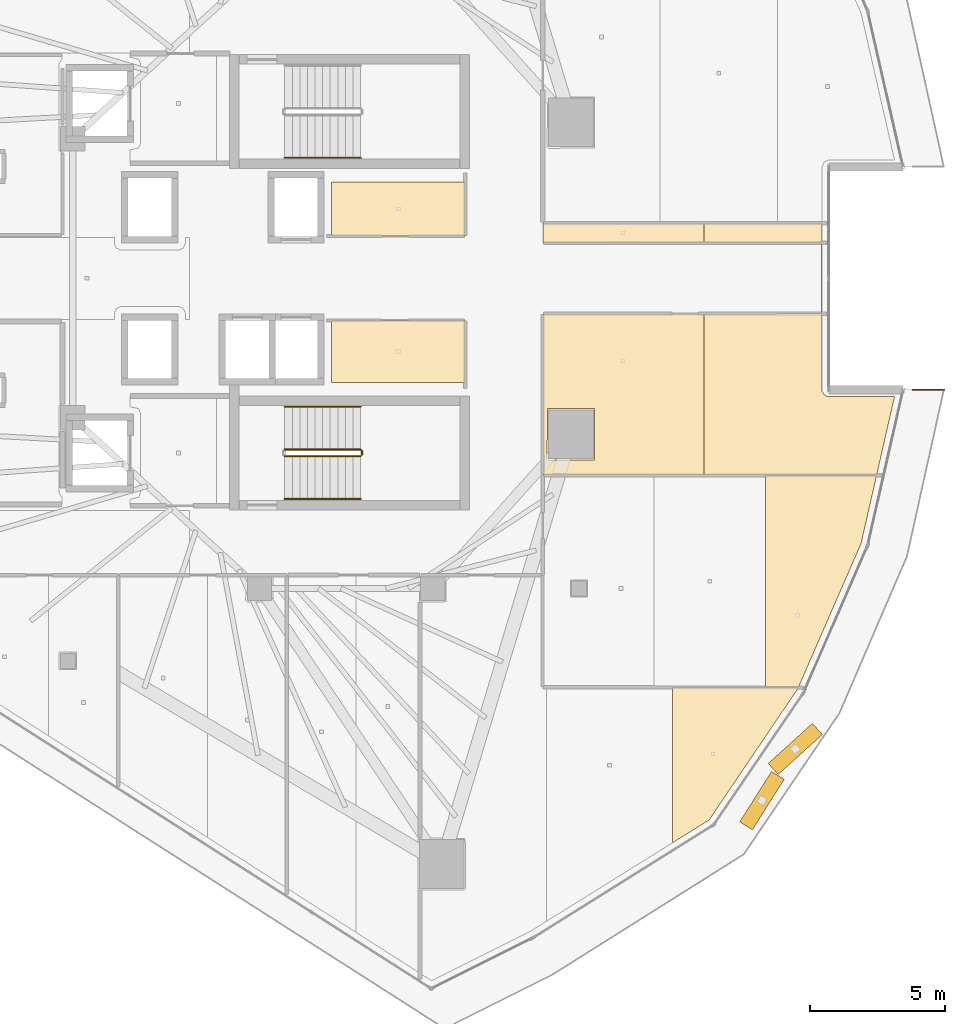
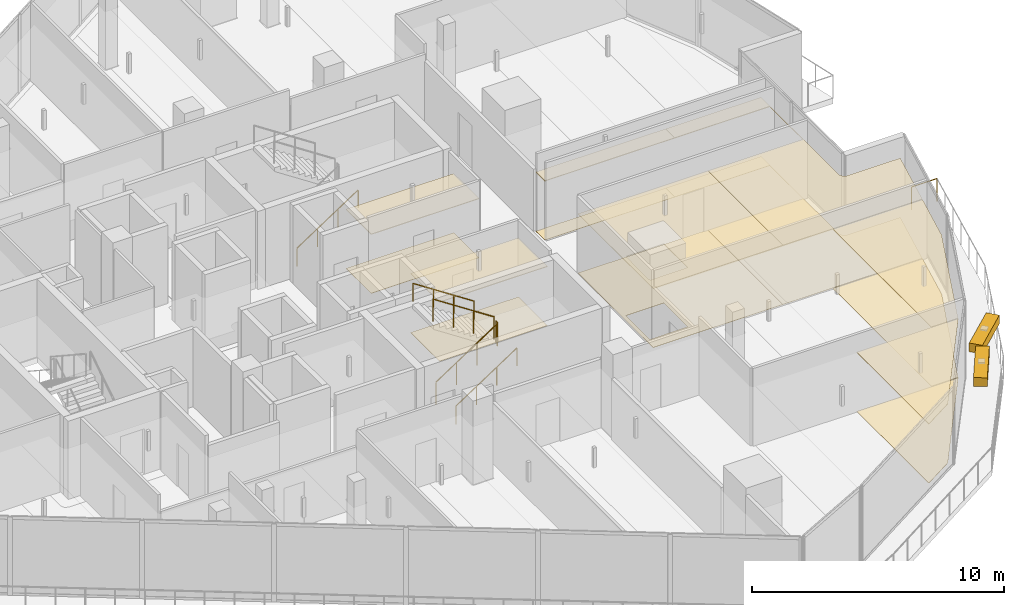
# One storey, part 30 of 32: 14 coverings, 7 railings, 2 shading devices.
"""IFC4 building model written with IfcOpenShell, lengths in metres."""

import ifcopenshell
import ifcopenshell.guid

model = None  # the IFC model being written
_history = None  # IfcOwnerHistory: only IFC2X3 demands one
_inside = {}  # id of a spatial element -> (the spatial element, [elements in it])
_under = {}  # id of a project, library or spatial element -> (it, [spatial elements below it])
_declared = {}  # id of a project -> (the project, [libraries it declares])
_typed = {}  # id of a type object -> (the type object, [elements of that type])
_made_of = {}  # id of a material, layer set ... -> (it, [elements and type objects made of it])


def new_model(schema):
    """Start an empty IFC model of exactly this schema.

    Asked for "IFC4X3", IfcOpenShell would pick the latest addendum, in which some entities
    have other attributes; the version numbers below select the first issue.
    IFC2X3 requires an IfcOwnerHistory on every rooted entity: one is made here for all.
    """
    global model, _history
    if schema == "IFC4X3":
        model = ifcopenshell.file(schema_version=(4, 3, 0, 0))
    else:
        model = ifcopenshell.file(schema=schema)
    _inside.clear()
    _under.clear()
    _declared.clear()
    _typed.clear()
    _made_of.clear()
    _history = None
    if model.schema == "IFC2X3":
        org = make("IfcOrganization", Name="unknown")
        user = make(
            "IfcPersonAndOrganization",
            ThePerson=make("IfcPerson", FamilyName="unknown"),
            TheOrganization=org,
        )
        app = make(
            "IfcApplication",
            ApplicationDeveloper=org,
            Version="unknown",
            ApplicationFullName="unknown",
            ApplicationIdentifier="unknown",
        )
        _history = make(
            "IfcOwnerHistory",
            OwningUser=user,
            OwningApplication=app,
            ChangeAction="ADDED",
            CreationDate=0,
        )
    return model


def make(cls, **values):
    """One entity of the class cls with the attributes given. An attribute that is None is left unset."""
    return model.create_entity(
        cls, **{name: value for name, value in values.items() if value is not None}
    )


def rooted(cls, **values):
    """An entity with a GlobalId (a new one), such as an element, a storey or a relation."""
    return make(cls, GlobalId=ifcopenshell.guid.new(), OwnerHistory=_history, **values)


def si_unit(unit_type, name, prefix=None):
    """IfcSIUnit, for example si_unit("LENGTHUNIT", "METRE", prefix="MILLI")."""
    return make("IfcSIUnit", UnitType=unit_type, Prefix=prefix, Name=name)


def assignment(units):
    """IfcUnitAssignment: the units of a project."""
    return None if units is None else make("IfcUnitAssignment", Units=units)


def point(xyz):
    """IfcCartesianPoint."""
    return None if xyz is None else make("IfcCartesianPoint", Coordinates=xyz)


def direction(xyz):
    """IfcDirection."""
    return None if xyz is None else make("IfcDirection", DirectionRatios=xyz)


def frame(location, z_axis=None, x_axis=None):
    """IfcAxis2Placement3D, a coordinate frame: its origin and axes. An axis left out is left unset."""
    return make(
        "IfcAxis2Placement3D",
        Location=point(location),
        Axis=direction(z_axis),
        RefDirection=direction(x_axis),
    )


def frame_2d(location, x_axis=None):
    """IfcAxis2Placement2D, a coordinate frame in the plane: its origin and x axis."""
    return make(
        "IfcAxis2Placement2D", Location=point(location), RefDirection=direction(x_axis)
    )


def origin():
    """The frame at (0, 0, 0) with its axes left unset."""
    return frame((0.0, 0.0, 0.0))


def origin_2d():
    """The frame at (0, 0) in the plane with its x axis left unset."""
    return frame_2d((0.0, 0.0))


def place(relative_to, where):
    """IfcLocalPlacement: puts the frame where relative to a parent placement (None: the world)."""
    return make(
        "IfcLocalPlacement", PlacementRelTo=relative_to, RelativePlacement=where
    )


def context(
    kind, dimensions, precision=None, world=None, true_north=None, identifier=None
):
    """IfcGeometricRepresentationContext, for example the 3D "Model" context."""
    return make(
        "IfcGeometricRepresentationContext",
        ContextIdentifier=identifier,
        ContextType=kind,
        CoordinateSpaceDimension=dimensions,
        Precision=precision,
        WorldCoordinateSystem=world,
        TrueNorth=true_north,
    )


def subcontext(parent, identifier, kind, view, scale=None):
    """IfcGeometricRepresentationSubContext, for example "Body" below "Model"."""
    return make(
        "IfcGeometricRepresentationSubContext",
        ContextIdentifier=identifier,
        ContextType=kind,
        ParentContext=parent,
        TargetScale=scale,
        TargetView=view,
    )


def project(units=None, contexts=None):
    """IfcProject with its units and contexts."""
    return rooted(
        "IfcProject",
        Name="project",
        RepresentationContexts=contexts,
        UnitsInContext=assignment(units),
    )


def spatial(cls, under=None, at=None, **own):
    """A site, building, storey or space (cls), placed at a placement, below another one or the project."""
    s = rooted(cls, ObjectPlacement=at, **own)
    if under is not None:
        _under.setdefault(under.id(), (under, []))[1].append(s)
    return s


def polyline(points):
    """IfcPolyline through the points."""
    return make("IfcPolyline", Points=[point(p) for p in points])


def profile(cls, at=None, kind="AREA", **sizes):
    """A parametric profile (cls). Its sizes go by their IFC names, for example OverallWidth=200.0."""
    return make(cls, ProfileType=kind, Position=at, **sizes)


def rectangle(**sizes):
    """IfcRectangleProfileDef."""
    return profile("IfcRectangleProfileDef", **sizes)


def circle(**sizes):
    """IfcCircleProfileDef."""
    return profile("IfcCircleProfileDef", **sizes)


def outline(outer, holes=None, kind="AREA"):
    """IfcArbitraryClosedProfileDef: a profile drawn as a closed curve; with holes, ...WithVoids."""
    if holes is None:
        return make("IfcArbitraryClosedProfileDef", ProfileType=kind, OuterCurve=outer)
    return make(
        "IfcArbitraryProfileDefWithVoids",
        ProfileType=kind,
        OuterCurve=outer,
        InnerCurves=holes,
    )


def extrude(swept, where, along, depth):
    """IfcExtrudedAreaSolid: the profile swept, set in the frame where, extruded along a direction by depth."""
    return make(
        "IfcExtrudedAreaSolid",
        SweptArea=swept,
        Position=where,
        ExtrudedDirection=direction(along),
        Depth=depth,
    )


def shape(context_of_items, identifier, shape_type, items):
    """IfcShapeRepresentation: the items that make up one representation, for example the "Body"."""
    return make(
        "IfcShapeRepresentation",
        ContextOfItems=context_of_items,
        RepresentationIdentifier=identifier,
        RepresentationType=shape_type,
        Items=items,
    )


def material(Name=None, Category=None):
    """IfcMaterial."""
    return make("IfcMaterial", Name=Name, Category=Category)


def layer(
    of_material, thickness, ventilated=None, Name=None, Category=None, Priority=None
):
    """IfcMaterialLayer: one layer of a wall or slab, of a material (None: an air gap)."""
    return make(
        "IfcMaterialLayer",
        Material=of_material,
        LayerThickness=thickness,
        IsVentilated=ventilated,
        Name=Name,
        Category=Category,
        Priority=Priority,
    )


def layer_set(layers, Name=None):
    """IfcMaterialLayerSet."""
    return make("IfcMaterialLayerSet", MaterialLayers=layers, LayerSetName=Name)


def made_of(thing, what):
    """Note that an element or type object is made of a material, layer set ...; save() writes the relation."""
    if what is not None:
        _made_of.setdefault(what.id(), (what, []))[1].append(thing)
    return thing


def type_object(cls, material=None, **own):
    """A type object (cls), such as IfcWallType, which elements share."""
    return made_of(rooted(cls, **own), material)


def element(
    cls,
    number,
    at=None,
    inside=None,
    cuts=None,
    type_object=None,
    material=None,
    context=None,
    identifier="Body",
    shape_type=None,
    held_by="IfcProductDefinitionShape",
    body=None,
    shapes=None,
    **own,
):
    """One element of the class cls, such as IfcWall. Its Tag is "e" and its number.

    at: its placement. inside: the storey or other place that contains it. cuts: it is an
    opening in that element (IfcRelVoidsElement). A single representation is given by context,
    identifier, shape_type and body (its items); several are given by shapes. held_by: the class
    of the entity that holds the representations. save() writes the other relations.
    """
    e = rooted(cls, Tag="e%d" % number, ObjectPlacement=at, **own)
    if body is not None:
        shapes = [shape(context, identifier, shape_type, body)]
    if shapes is not None:
        e.Representation = make(held_by, Representations=shapes)
    if inside is not None:
        _inside.setdefault(inside.id(), (inside, []))[1].append(e)
    if cuts is not None:
        rooted(
            "IfcRelVoidsElement", RelatingBuildingElement=cuts, RelatedOpeningElement=e
        )
    if type_object is not None:
        _typed.setdefault(type_object.id(), (type_object, []))[1].append(e)
    return made_of(e, material)


def aggregate(whole, parts):
    """IfcRelAggregates: a whole, such as a stair, and the parts it consists of."""
    return rooted("IfcRelAggregates", RelatingObject=whole, RelatedObjects=parts)


def save(model, path):
    """Write the relations noted so far, then the file.

    IfcRelAggregates (storeys below a building ...), IfcRelContainedInSpatialStructure (elements
    in a storey), IfcRelDefinesByType, IfcRelAssociatesMaterial and IfcRelDeclares: one each for
    every whole, place, type object, material and project.
    """
    for whole, parts in _under.values():
        aggregate(whole, parts)
    for where, things in _inside.values():
        rooted(
            "IfcRelContainedInSpatialStructure",
            RelatedElements=things,
            RelatingStructure=where,
        )
    for kind, things in _typed.values():
        rooted("IfcRelDefinesByType", RelatedObjects=things, RelatingType=kind)
    for what, things in _made_of.values():
        rooted("IfcRelAssociatesMaterial", RelatedObjects=things, RelatingMaterial=what)
    for by, libraries in _declared.values():
        rooted("IfcRelDeclares", RelatingContext=by, RelatedDefinitions=libraries)
    model.write(path)


model = new_model("IFC4")

# Units and contexts
model_context = context("Model", 3, precision=1e-05, world=origin(), true_north=direction((0.0, 1.0)))
body_context = subcontext(model_context, "Body", "Model", "MODEL_VIEW")
ifc_project = project(units=[si_unit("LENGTHUNIT", "METRE"), si_unit("AREAUNIT", "SQUARE_METRE"), si_unit("VOLUMEUNIT", "CUBIC_METRE"), si_unit("PLANEANGLEUNIT", "RADIAN"), si_unit("MASSUNIT", "GRAM", prefix="KILO")], contexts=[model_context])

# Site, building, storey
site_placement = place(None, origin())
site = spatial("IfcSite", under=ifc_project, at=site_placement, CompositionType="ELEMENT")
building_placement = place(site_placement, origin())
building = spatial("IfcBuilding", under=site, at=building_placement, Name="Qorvath Tower", CompositionType="ELEMENT")
storey_placement = place(building_placement, frame((0.0, 0.0, 233.39990234375)))
storey = spatial("IfcBuildingStorey", under=building, at=storey_placement, Name="L54", CompositionType="ELEMENT", Elevation=233.39990234375)

# Coverings
ifc_material_1 = material(Name="Acoustic mineral fibre ceiling tile", Category="gypsum")
ifc_layer_1 = layer(ifc_material_1, 0.030029296875)
ifc_layer_set_1 = layer_set([ifc_layer_1], Name="COV-CEIL")
covering_type_1 = type_object("IfcCoveringType", Name="COV-CEIL", PredefinedType="CEILING", material=ifc_layer_set_1)
covering_1_placement = place(storey_placement, frame((0.0, 0.0, 2.85009765625)))
element("IfcCovering", 1, at=covering_1_placement, inside=storey, type_object=covering_type_1, Name="L54 Suspended Acoustic Ceiling 003", PredefinedType="CEILING", context=body_context, shape_type="SweptSolid", body=[
    extrude(outline(polyline([(-16.0048828125, 3.56005859375), (-20.93994140625, 3.56005859375), (-20.93994140625, 1.56494140625), (-16.0048828125, 1.56494140625), (-16.0048828125, 3.56005859375)])), origin(), (0.0, 0.0, 1.0), 0.030029296875),
])
covering_2_placement = place(storey_placement, frame((0.0, 0.0, 2.85009765625)))
element("IfcCovering", 2, at=covering_2_placement, inside=storey, type_object=covering_type_1, Name="L54 Suspended Acoustic Ceiling 004", PredefinedType="CEILING", context=body_context, shape_type="SweptSolid", body=[
    extrude(outline(polyline([(-20.93994140625, -1.56494140625), (-20.93994140625, -3.85009765625), (-16.0048828125, -3.85009765625), (-16.0048828125, -1.56494140625), (-20.93994140625, -1.56494140625)])), origin(), (0.0, 0.0, 1.0), 0.030029296875),
])
covering_3_placement = place(storey_placement, frame((0.0, 0.0, 2.85009765625)))
element("IfcCovering", 3, at=covering_3_placement, inside=storey, type_object=covering_type_1, Name="L54 Suspended Acoustic Ceiling 027", PredefinedType="CEILING", context=body_context, shape_type="SweptSolid", body=[
    extrude(outline(polyline([(-8.35302734375, -15.113037109375), (-8.35302734375, -20.84619140625), (-7.0, -20.004150390625), (-3.697998046875, -15.11669921875), (-8.35302734375, -15.113037109375)])), origin(), (0.0, 0.0, 1.0), 0.030029296875),
])
covering_4_placement = place(storey_placement, frame((0.0, 0.0, 2.85009765625)))
element("IfcCovering", 4, at=covering_4_placement, inside=storey, type_object=covering_type_1, Name="L54 Suspended Acoustic Ceiling 030", PredefinedType="CEILING", context=body_context, shape_type="SweptSolid", body=[
    extrude(outline(polyline([(-4.92236328125, -7.281494140625), (-4.92236328125, -15.09765625), (-3.698486328125, -15.0986328125), (-1.3876953125, -9.796142578125), (-0.81494140625, -7.281494140625), (-4.92236328125, -7.281494140625)])), origin(), (0.0, 0.0, 1.0), 0.030029296875),
])
covering_5_placement = place(storey_placement, frame((0.0, 0.0, 2.85009765625)))
element("IfcCovering", 5, at=covering_5_placement, inside=storey, type_object=covering_type_1, Name="L54 Suspended Acoustic Ceiling 031", PredefinedType="CEILING", context=body_context, shape_type="SweptSolid", body=[
    extrude(outline(polyline([(-7.19482421875, -7.263427734375), (-7.19482421875, -1.31005859375), (-13.136962890625, -1.31298828125), (-13.136962890625, -7.263427734375), (-7.19482421875, -7.263427734375)]), holes=[polyline([(-12.981689453125, -6.657958984375), (-12.964111328125, -4.8154296875), (-11.2294921875, -4.8154296875), (-11.2294921875, -6.700439453125), (-12.921875, -6.718017578125), (-12.981689453125, -6.657958984375)])]), origin(), (0.0, 0.0, 1.0), 0.030029296875),
])
covering_6_placement = place(storey_placement, frame((0.0, 0.0, 2.85009765625)))
element("IfcCovering", 6, at=covering_6_placement, inside=storey, type_object=covering_type_1, Name="L54 Suspended Acoustic Ceiling 032", PredefinedType="CEILING", context=body_context, shape_type="SweptSolid", body=[
    extrude(outline(polyline([(-7.19482421875, 1.31298828125), (-7.19482421875, 2.033203125), (-13.136962890625, 2.033203125), (-13.136962890625, 1.31298828125), (-7.19482421875, 1.31298828125)])), origin(), (0.0, 0.0, 1.0), 0.030029296875),
])
covering_7_placement = place(storey_placement, frame((0.0, 0.0, 2.85009765625)))
element("IfcCovering", 7, at=covering_7_placement, inside=storey, type_object=covering_type_1, Name="L54 Suspended Acoustic Ceiling 033", PredefinedType="CEILING", context=body_context, shape_type="SweptSolid", body=[
    extrude(outline(polyline([(-2.73828125, -4.310546875), (-2.82568359375, -4.16357421875), (-2.830322265625, 2.033203125), (-7.19482421875, 2.033203125), (-7.19482421875, 1.31298828125), (-2.847412109375, 1.31298828125), (-2.84228515625, -1.30810546875), (-7.19482421875, -1.31005859375), (-7.19482421875, -7.263427734375), (-0.810791015625, -7.263427734375), (-0.15185546875, -4.369873046875), (-2.599853515625, -4.36865234375), (-2.73828125, -4.310546875)])), origin(), (0.0, 0.0, 1.0), 0.030029296875),
])
ifc_material_2 = material(Name="Low-VOC modular carpet tile", Category="textile")
ifc_layer_2 = layer(ifc_material_2, 0.014892578125)
ifc_layer_set_2 = layer_set([ifc_layer_2], Name="COV-FLOOR-CPT")
covering_type_2 = type_object("IfcCoveringType", Name="COV-FLOOR-CPT", PredefinedType="FLOORING", material=ifc_layer_set_2)
covering_8_placement = place(storey_placement, origin())
element("IfcCovering", 8, at=covering_8_placement, inside=storey, type_object=covering_type_2, Name="L54 Floor Finish 003", PredefinedType="FLOORING", context=body_context, shape_type="SweptSolid", body=[
    extrude(outline(polyline([(-16.0048828125, 3.56005859375), (-20.93994140625, 3.56005859375), (-20.93994140625, 1.56494140625), (-16.0048828125, 1.56494140625), (-16.0048828125, 3.56005859375)])), origin(), (0.0, 0.0, 1.0), 0.01513671875),
])
covering_9_placement = place(storey_placement, origin())
element("IfcCovering", 9, at=covering_9_placement, inside=storey, type_object=covering_type_2, Name="L54 Floor Finish 004", PredefinedType="FLOORING", context=body_context, shape_type="SweptSolid", body=[
    extrude(outline(polyline([(-20.93994140625, -1.56494140625), (-20.93994140625, -3.85009765625), (-16.0048828125, -3.85009765625), (-16.0048828125, -1.56494140625), (-20.93994140625, -1.56494140625)])), origin(), (0.0, 0.0, 1.0), 0.01513671875),
])
covering_10_placement = place(storey_placement, origin())
element("IfcCovering", 10, at=covering_10_placement, inside=storey, type_object=covering_type_2, Name="L54 Floor Finish 027", PredefinedType="FLOORING", context=body_context, shape_type="SweptSolid", body=[
    extrude(outline(polyline([(-8.35302734375, -15.113037109375), (-8.35302734375, -20.84619140625), (-7.0, -20.004150390625), (-3.697998046875, -15.11669921875), (-8.35302734375, -15.113037109375)])), origin(), (0.0, 0.0, 1.0), 0.01513671875),
])
covering_11_placement = place(storey_placement, origin())
element("IfcCovering", 11, at=covering_11_placement, inside=storey, type_object=covering_type_2, Name="L54 Floor Finish 030", PredefinedType="FLOORING", context=body_context, shape_type="SweptSolid", body=[
    extrude(outline(polyline([(-4.92236328125, -7.281494140625), (-4.92236328125, -15.09765625), (-3.698486328125, -15.0986328125), (-1.3876953125, -9.796142578125), (-0.81494140625, -7.281494140625), (-4.92236328125, -7.281494140625)])), origin(), (0.0, 0.0, 1.0), 0.01513671875),
])
covering_12_placement = place(storey_placement, origin())
element("IfcCovering", 12, at=covering_12_placement, inside=storey, type_object=covering_type_2, Name="L54 Floor Finish 031", PredefinedType="FLOORING", context=body_context, shape_type="SweptSolid", body=[
    extrude(outline(polyline([(-7.19482421875, -7.263427734375), (-7.19482421875, -1.31005859375), (-13.136962890625, -1.31298828125), (-13.136962890625, -7.263427734375), (-7.19482421875, -7.263427734375)]), holes=[polyline([(-12.981689453125, -6.657958984375), (-12.964111328125, -4.8154296875), (-11.2294921875, -4.8154296875), (-11.2294921875, -6.700439453125), (-12.921875, -6.718017578125), (-12.981689453125, -6.657958984375)])]), origin(), (0.0, 0.0, 1.0), 0.01513671875),
])
covering_13_placement = place(storey_placement, origin())
element("IfcCovering", 13, at=covering_13_placement, inside=storey, type_object=covering_type_2, Name="L54 Floor Finish 032", PredefinedType="FLOORING", context=body_context, shape_type="SweptSolid", body=[
    extrude(outline(polyline([(-7.19482421875, 1.31298828125), (-7.19482421875, 2.033203125), (-13.136962890625, 2.033203125), (-13.136962890625, 1.31298828125), (-7.19482421875, 1.31298828125)])), origin(), (0.0, 0.0, 1.0), 0.01513671875),
])
covering_14_placement = place(storey_placement, origin())
element("IfcCovering", 14, at=covering_14_placement, inside=storey, type_object=covering_type_2, Name="L54 Floor Finish 033", PredefinedType="FLOORING", context=body_context, shape_type="SweptSolid", body=[
    extrude(outline(polyline([(-2.73828125, -4.310546875), (-2.82568359375, -4.16357421875), (-2.830322265625, 2.033203125), (-7.19482421875, 2.033203125), (-7.19482421875, 1.31298828125), (-2.847412109375, 1.31298828125), (-2.84228515625, -1.30810546875), (-7.19482421875, -1.31005859375), (-7.19482421875, -7.263427734375), (-0.810791015625, -7.263427734375), (-0.15185546875, -4.369873046875), (-2.599853515625, -4.36865234375), (-2.73828125, -4.310546875)])), origin(), (0.0, 0.0, 1.0), 0.01513671875),
])

# Railings
ifc_material_3 = material(Name="Laminated safety glass and stainless steel AISI 316", Category="steel")
railing_type_1 = type_object("IfcRailingType", Name="RL-EXT-GRD", PredefinedType="GUARDRAIL", material=ifc_material_3)
railing_1_placement = place(storey_placement, frame((0.517578125, -4.11474609375, 0.0)))
element("IfcRailing", 15, at=railing_1_placement, inside=storey, type_object=railing_type_1, Name="Loggia Perimeter Guardrail L54-1.2", PredefinedType="GUARDRAIL", context=body_context, shape_type="SweptSolid", body=[
    extrude(circle(Radius=0.02392578125, at=origin_2d()), frame((0.0, 0.0, 1.09619140625), z_axis=(1.0, 0.0, 0.0), x_axis=(0.0, 1.0, 0.0)), (0.0, 0.0, 1.0), 1.158935546875),
    extrude(circle(Radius=0.02099609375, at=origin_2d()), origin(), (0.0, 0.0, 1.0), 1.072021484375),
    extrude(circle(Radius=0.02099609375, at=origin_2d()), frame((1.158935546875, 0.0, 0.0)), (0.0, 0.0, 1.0), 1.072021484375),
])
ifc_material_4 = material(Name="Painted galvanised steel", Category="steel")
railing_type_2 = type_object("IfcRailingType", Name="RL-STR-GRD", PredefinedType="GUARDRAIL", material=ifc_material_4)
railing_2_placement = place(storey_placement, frame((-22.669921875, -6.570068359375, 0.18408203125)))
element("IfcRailing", 16, at=railing_2_placement, inside=storey, type_object=railing_type_2, Name="L54 TS2 stair guard 1", PredefinedType="GUARDRAIL", context=body_context, shape_type="SweptSolid", body=[
    extrude(circle(Radius=0.02392578125, at=origin_2d()), frame((0.0, 0.0, 1.076171875), z_axis=(0.835542071712, 0.0, 0.549426470421), x_axis=(0.0, 1.0, 0.0)), (0.0, 0.0, 1.0), 3.350830078125),
    extrude(circle(Radius=0.02099609375, at=origin_2d()), origin(), (0.0, 0.0, 1.0), 1.052001953125),
    extrude(circle(Radius=0.02099609375, at=origin_2d()), frame((0.933349609375, 0.0, 0.61376953125)), (0.0, 0.0, 1.0), 1.052001953125),
    extrude(circle(Radius=0.02099609375, at=origin_2d()), frame((1.866455078125, 0.0, 1.227294921875)), (0.0, 0.0, 1.0), 1.052001953125),
    extrude(circle(Radius=0.02099609375, at=origin_2d()), frame((2.7998046875, 0.0, 1.841064453125)), (0.0, 0.0, 1.0), 1.052001953125),
])
railing_3_placement = place(storey_placement, frame((-19.820068359375, -6.52001953125, 2.025146484375)))
element("IfcRailing", 17, at=railing_3_placement, inside=storey, type_object=railing_type_2, Name="L54 TS2 stair guard 2", PredefinedType="GUARDRAIL", context=body_context, shape_type="SweptSolid", body=[
    extrude(circle(Radius=0.02392578125, at=origin_2d()), frame((0.0, 0.0, 1.076171875), z_axis=(0.0, 1.0, 0.0), x_axis=(-1.0, 0.0, 0.0)), (0.0, 0.0, 1.0), 0.14990234375),
    extrude(circle(Radius=0.02099609375, at=origin_2d()), origin(), (0.0, 0.0, 1.0), 1.052001953125),
    extrude(circle(Radius=0.02099609375, at=origin_2d()), frame((0.0, 0.14990234375, 0.0)), (0.0, 0.0, 1.0), 1.052001953125),
])
railing_4_placement = place(storey_placement, frame((-19.8701171875, -6.320068359375, 2.209228515625)))
element("IfcRailing", 18, at=railing_4_placement, inside=storey, type_object=railing_type_2, Name="L54 TS2 stair guard 3", PredefinedType="GUARDRAIL", context=body_context, shape_type="SweptSolid", body=[
    extrude(circle(Radius=0.02392578125, at=origin_2d()), frame((0.0, 0.0, 1.076171875), z_axis=(-0.835575518608, 0.0, 0.549375602573), x_axis=(0.0, -1.0, 0.0)), (0.0, 0.0, 1.0), 3.350830078125),
    extrude(circle(Radius=0.02099609375, at=origin_2d()), origin(), (0.0, 0.0, 1.0), 1.052001953125),
    extrude(circle(Radius=0.02099609375, at=origin_2d()), frame((-0.933349609375, 0.0, 0.613525390625)), (0.0, 0.0, 1.0), 1.052001953125),
    extrude(circle(Radius=0.02099609375, at=origin_2d()), frame((-1.866455078125, 0.0, 1.227294921875)), (0.0, 0.0, 1.0), 1.052001953125),
    extrude(circle(Radius=0.02099609375, at=origin_2d()), frame((-2.7998046875, 0.0, 1.8408203125)), (0.0, 0.0, 1.0), 1.052001953125),
])
ifc_material_5 = material(Name="Brushed stainless steel AISI 304", Category="steel")
railing_type_3 = type_object("IfcRailingType", Name="RL-STR-HND", PredefinedType="HANDRAIL", material=ifc_material_5)
for number, where, name in (
    (19, (-22.669921875, 4.449951171875, 0.18408203125), "L54 TS1 stair handrail 1"),
    (20, (-22.669921875, -8.14990234375, 0.18408203125), "L54 TS2 stair handrail 1"),
):
    element("IfcRailing", number, at=place(storey_placement, frame(where)), inside=storey, type_object=railing_type_3, Name=name, PredefinedType="HANDRAIL", context=body_context, shape_type="SweptSolid", body=[
        extrude(circle(Radius=0.02392578125, at=origin_2d()), frame((0.0, 0.0, 0.8759765625), z_axis=(0.835542071712, 0.0, 0.549426470421), x_axis=(0.0, 1.0, 0.0)), (0.0, 0.0, 1.0), 3.350830078125),
        extrude(circle(Radius=0.02099609375, at=origin_2d()), origin(), (0.0, 0.0, 1.0), 0.851806640625),
        extrude(circle(Radius=0.02099609375, at=origin_2d()), frame((0.933349609375, 0.0, 0.61376953125)), (0.0, 0.0, 1.0), 0.851806640625),
        extrude(circle(Radius=0.02099609375, at=origin_2d()), frame((1.866455078125, 0.0, 1.227294921875)), (0.0, 0.0, 1.0), 0.851806640625),
        extrude(circle(Radius=0.02099609375, at=origin_2d()), frame((2.7998046875, 0.0, 1.841064453125)), (0.0, 0.0, 1.0), 0.851806640625),
    ])
railing_5_placement = place(storey_placement, frame((-19.8701171875, -4.739990234375, 2.209228515625)))
element("IfcRailing", 21, at=railing_5_placement, inside=storey, type_object=railing_type_3, Name="L54 TS2 stair handrail 2", PredefinedType="HANDRAIL", context=body_context, shape_type="SweptSolid", body=[
    extrude(circle(Radius=0.02392578125, at=origin_2d()), frame((0.0, 0.0, 0.8759765625), z_axis=(-0.835575518608, 0.0, 0.549375602573), x_axis=(0.0, -1.0, 0.0)), (0.0, 0.0, 1.0), 3.350830078125),
    extrude(circle(Radius=0.02099609375, at=origin_2d()), origin(), (0.0, 0.0, 1.0), 0.851806640625),
    extrude(circle(Radius=0.02099609375, at=origin_2d()), frame((-0.933349609375, 0.0, 0.613525390625)), (0.0, 0.0, 1.0), 0.851806640625),
    extrude(circle(Radius=0.02099609375, at=origin_2d()), frame((-1.866455078125, 0.0, 1.227294921875)), (0.0, 0.0, 1.0), 0.851806640625),
    extrude(circle(Radius=0.02099609375, at=origin_2d()), frame((-2.7998046875, 0.0, 1.8408203125)), (0.0, 0.0, 1.0), 0.851806640625),
])

# Shading devices
ifc_material_6 = material(Name="Anodised bronze-champagne aluminium", Category="aluminium")
shading_device_type = type_object("IfcShadingDeviceType", Name="SD-LOUVRE", PredefinedType="JALOUSIE", material=ifc_material_6)
for number, where, z_axis, x_axis, name in (
    (22, (-5.04736328125, -19.285400390625, 3.360107421875), (0.0, 0.0, 1.0), (0.53340194448, 0.845861906948, 0.0), "Sinusoidal Wave Louvre Blade L54-03"),
    (23, (-3.81640625, -17.37939453125, 3.360107421875), (0.0, 0.0, 1.0), (0.74064513261, 0.671896411317, 0.0), "Sinusoidal Wave Louvre Blade L54-04"),
):
    element("IfcShadingDevice", number, at=place(storey_placement, frame(where, z_axis=z_axis, x_axis=x_axis)), inside=storey, type_object=shading_device_type, Name=name, PredefinedType="NOTDEFINED", context=body_context, shape_type="SweptSolid", body=[
        extrude(rectangle(XDim=2.199951171875, YDim=0.550048828125, at=origin_2d()), origin(), (0.0, 0.0, 1.0), 0.419921875),
    ])

save(model, "model.ifc")
